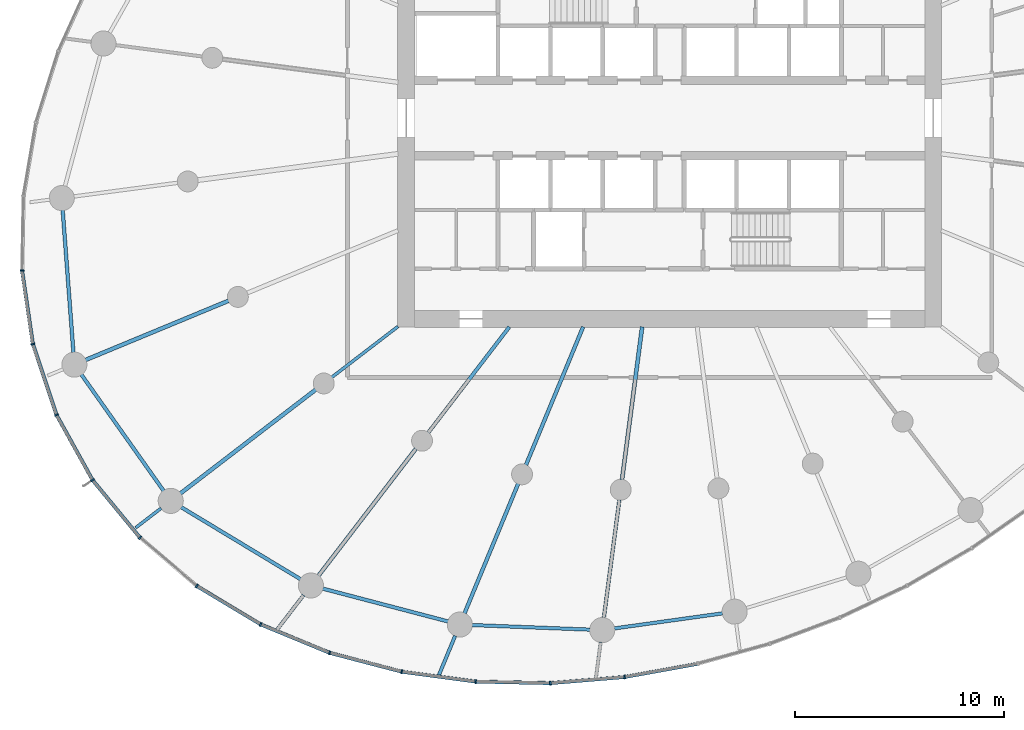
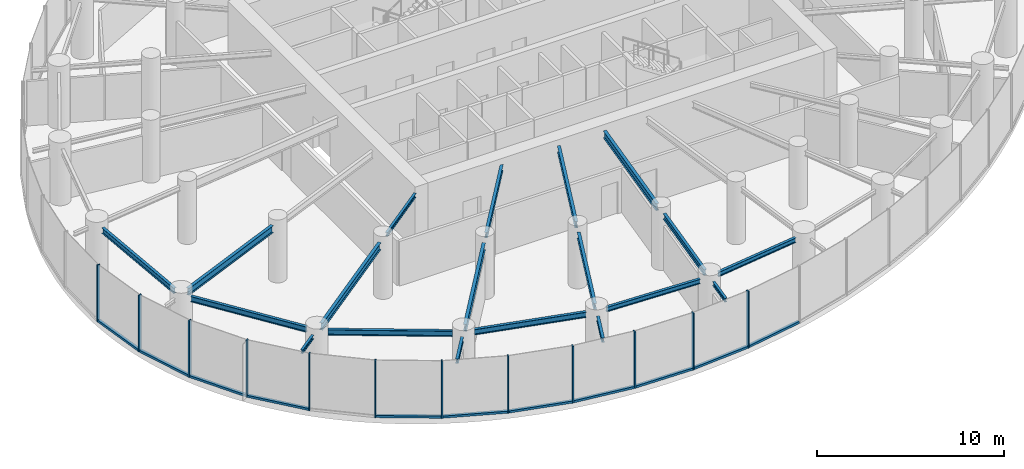
# One storey, part 2 of 18: 23 members, 19 beams, 3 elements without a shape of their own.
"""IFC4 building model written with IfcOpenShell, lengths in metres."""

from ifc_helpers import new_model, si_unit, direction, frame, origin, origin_2d, place, context, subcontext, project, spatial, rectangle, i_section, extrude, source, transform, mapped, material, layer, layer_set, material_profile, profile_set, type_object, element, aggregate, save


model = new_model("IFC4")

# Units and contexts
model_context = context("Model", 3, precision=1e-05, world=origin(), true_north=direction((0.0, 1.0)))
body_context = subcontext(model_context, "Body", "Model", "MODEL_VIEW")
ifc_project = project(units=[si_unit("LENGTHUNIT", "METRE"), si_unit("AREAUNIT", "SQUARE_METRE"), si_unit("VOLUMEUNIT", "CUBIC_METRE"), si_unit("PLANEANGLEUNIT", "RADIAN"), si_unit("MASSUNIT", "GRAM", prefix="KILO")], contexts=[model_context])

# Site, building, storey
site_placement = place(None, origin())
site = spatial("IfcSite", under=ifc_project, at=site_placement, CompositionType="ELEMENT")
building_placement = place(site_placement, origin())
building = spatial("IfcBuilding", under=site, at=building_placement, Name="Spindrift Exchange Tower", CompositionType="ELEMENT")
storey_placement = place(building_placement, frame((0.0, 0.0, 116.699951171875)))
storey = spatial("IfcBuildingStorey", under=building, at=storey_placement, Name="L27", CompositionType="ELEMENT", Elevation=116.699951171875)

# Beams
ifc_material_1 = material(Name="Steel Grade 300", Category="steel")
ifc_material_profile_1 = material_profile(ifc_material_1, i_section(OverallWidth=0.14599609375, OverallDepth=0.251953125, WebThickness=0.006103515625, FlangeThickness=0.008544921875, FilletRadius=0.011962890625, at=origin_2d()), Name="250UB31.4")
ifc_profile_set_1 = profile_set([ifc_material_profile_1], Name="Steel Grade 300")
beam_type_1 = type_object("IfcBeamType", Name="Floor Beam 250UB31.4 Steel Grade 300", PredefinedType="BEAM", material=ifc_profile_set_1)
shared_shape_1 = source(origin(), body_context, "Body", "SweptSolid", [
    extrude(i_section(OverallWidth=0.14599609375, OverallDepth=0.251953125, WebThickness=0.006103515625, FlangeThickness=0.008544921875, FilletRadius=0.011962890625, at=origin_2d()), origin(), (0.0, 0.0, 1.0), 3.99560546875),
])
beam_1_placement = place(storey_placement, frame((39.015869140625, 38.036865234375, 3.573974609375), z_axis=(-0.793352561574, -0.608762443851, 0.0), x_axis=(0.608762443851, -0.793352561574, 0.0)))
element("IfcBeam", 1, at=beam_1_placement, inside=storey, type_object=beam_type_1, Name="L27 radial beam R15A", PredefinedType="BEAM", context=body_context, shape_type="MappedRepresentation", body=[
    mapped(shared_shape_1, transform((0.0, 0.0, 0.0), scale=1.0)),
])
ifc_material_profile_2 = material_profile(ifc_material_1, i_section(OverallWidth=0.172119140625, OverallDepth=0.35888671875, WebThickness=0.008056640625, FlangeThickness=0.012939453125, FilletRadius=0.013916015625, at=origin_2d()), Name="360UB56.7")
ifc_profile_set_2 = profile_set([ifc_material_profile_2], Name="Steel Grade 300")
beam_type_2 = type_object("IfcBeamType", Name="Floor Beam 360UB56.7 Steel Grade 300", PredefinedType="BEAM", material=ifc_profile_set_2)
shared_shape_2 = source(origin(), body_context, "Body", "SweptSolid", [
    extrude(i_section(OverallWidth=0.172119140625, OverallDepth=0.35888671875, WebThickness=0.008056640625, FlangeThickness=0.012939453125, FilletRadius=0.013916015625, at=origin_2d()), origin(), (0.0, 0.0, 1.0), 6.37646484375),
])
beam_2_placement = place(storey_placement, frame((44.3388671875, 38.015869140625, 3.5205078125), z_axis=(-0.608766669952, -0.793349318747, 0.0), x_axis=(0.793349318747, -0.608766669952, 0.0)))
element("IfcBeam", 2, at=beam_2_placement, inside=storey, type_object=beam_type_2, Name="L27 radial beam R16A", PredefinedType="BEAM", context=body_context, shape_type="MappedRepresentation", body=[
    mapped(shared_shape_2, transform((0.0, 0.0, 0.0), scale=1.0)),
])
ifc_material_profile_3 = material_profile(ifc_material_1, i_section(OverallWidth=0.177978515625, OverallDepth=0.406005859375, WebThickness=0.0078125, FlangeThickness=0.0126953125, FilletRadius=0.013916015625, at=origin_2d()), Name="410UB59.7")
ifc_profile_set_3 = profile_set([ifc_material_profile_3], Name="Steel Grade 300")
beam_type_3 = type_object("IfcBeamType", Name="Floor Beam 410UB59.7 Steel Grade 300", PredefinedType="BEAM", material=ifc_profile_set_3)
shared_shape_3 = source(origin(), body_context, "Body", "SweptSolid", [
    extrude(i_section(OverallWidth=0.177978515625, OverallDepth=0.406005859375, WebThickness=0.0078125, FlangeThickness=0.0126953125, FilletRadius=0.013916015625, at=origin_2d()), origin(), (0.0, 0.0, 1.0), 7.150634765625),
])
beam_3_placement = place(storey_placement, frame((47.865478515625, 38.0185546875, 3.4970703125), z_axis=(-0.382665393358, -0.923887004306, 0.0), x_axis=(0.923887004306, -0.382665393358, 0.0)))
element("IfcBeam", 3, at=beam_3_placement, inside=storey, type_object=beam_type_3, Name="L27 radial beam R17A", PredefinedType="BEAM", context=body_context, shape_type="MappedRepresentation", body=[
    mapped(shared_shape_3, transform((0.0, 0.0, 0.0), scale=1.0)),
])
ifc_material_profile_4 = material_profile(ifc_material_1, i_section(OverallWidth=0.18994140625, OverallDepth=0.45703125, WebThickness=0.009033203125, FlangeThickness=0.014404296875, FilletRadius=0.013916015625, at=origin_2d()), Name="460UB74.6")
ifc_profile_set_4 = profile_set([ifc_material_profile_4], Name="Steel Grade 300")
beam_type_4 = type_object("IfcBeamType", Name="Floor Beam 460UB74.6 Steel Grade 300", PredefinedType="BEAM", material=ifc_profile_set_4)
shared_shape_4 = source(origin(), body_context, "Body", "SweptSolid", [
    extrude(i_section(OverallWidth=0.18994140625, OverallDepth=0.45703125, WebThickness=0.009033203125, FlangeThickness=0.014404296875, FilletRadius=0.013916015625, at=origin_2d()), origin(), (0.0, 0.0, 1.0), 7.374267578125),
])
beam_4_placement = place(storey_placement, frame((50.68603515625, 38.019775390625, 3.471435546875), z_axis=(-0.130539295622, -0.99144313619, 0.0), x_axis=(0.99144313619, -0.130539295622, 0.0)))
element("IfcBeam", 4, at=beam_4_placement, inside=storey, type_object=beam_type_4, Name="L27 radial beam R18A", PredefinedType="BEAM", context=body_context, shape_type="MappedRepresentation", body=[
    mapped(shared_shape_4, transform((0.0, 0.0, 0.0), scale=1.0)),
])
shared_shape_5 = source(origin(), body_context, "Body", "SweptSolid", [
    extrude(i_section(OverallWidth=0.18994140625, OverallDepth=0.45703125, WebThickness=0.009033203125, FlangeThickness=0.014404296875, FilletRadius=0.013916015625, at=origin_2d()), origin(), (0.0, 0.0, 1.0), 7.400146484375),
])
beam_5_placement = place(storey_placement, frame((30.917236328125, 39.26708984375, 3.471435546875), z_axis=(-0.923886957755, -0.382665505749, 0.0), x_axis=(0.382665505749, -0.923886957755, 0.0)))
element("IfcBeam", 5, at=beam_5_placement, inside=storey, type_object=beam_type_4, Name="L27 radial beam R14B", PredefinedType="BEAM", context=body_context, shape_type="MappedRepresentation", body=[
    mapped(shared_shape_5, transform((0.0, 0.0, 0.0), scale=1.0)),
])
shared_shape_6 = source(origin(), body_context, "Body", "SweptSolid", [
    extrude(i_section(OverallWidth=0.18994140625, OverallDepth=0.45703125, WebThickness=0.009033203125, FlangeThickness=0.014404296875, FilletRadius=0.013916015625, at=origin_2d()), origin(), (0.0, 0.0, 1.0), 8.158447265625),
])
beam_6_placement = place(storey_placement, frame((35.08447265625, 35.020263671875, 3.471435546875), z_axis=(-0.793358732539, -0.608754401631, 0.0), x_axis=(0.608754401631, -0.793358732539, 0.0)))
element("IfcBeam", 6, at=beam_6_placement, inside=storey, type_object=beam_type_4, Name="L27 radial beam R15B", PredefinedType="BEAM", context=body_context, shape_type="MappedRepresentation", body=[
    mapped(shared_shape_6, transform((0.0, 0.0, 0.0), scale=1.0)),
])
shared_shape_7 = source(origin(), body_context, "Body", "SweptSolid", [
    extrude(i_section(OverallWidth=0.18994140625, OverallDepth=0.45703125, WebThickness=0.009033203125, FlangeThickness=0.014404296875, FilletRadius=0.013916015625, at=origin_2d()), origin(), (0.0, 0.0, 1.0), 7.663818359375),
])
beam_7_placement = place(storey_placement, frame((39.872802734375, 32.1953125, 3.471435546875), z_axis=(-0.608771227503, -0.793345821546, 0.0), x_axis=(0.793345821546, -0.608771227503, 0.0)))
element("IfcBeam", 7, at=beam_7_placement, inside=storey, type_object=beam_type_4, Name="L27 radial beam R16B", PredefinedType="BEAM", context=body_context, shape_type="MappedRepresentation", body=[
    mapped(shared_shape_7, transform((0.0, 0.0, 0.0), scale=1.0)),
])
shared_shape_8 = source(origin(), body_context, "Body", "SweptSolid", [
    extrude(i_section(OverallWidth=0.177978515625, OverallDepth=0.406005859375, WebThickness=0.0078125, FlangeThickness=0.0126953125, FilletRadius=0.013916015625, at=origin_2d()), origin(), (0.0, 0.0, 1.0), 6.71240234375),
])
beam_8_placement = place(storey_placement, frame((44.76171875, 30.525146484375, 3.4970703125), z_axis=(-0.382669812754, -0.923885173821, 0.0), x_axis=(0.923885173821, -0.382669812754, 0.0)))
element("IfcBeam", 8, at=beam_8_placement, inside=storey, type_object=beam_type_3, Name="L27 radial beam R17B", PredefinedType="BEAM", context=body_context, shape_type="MappedRepresentation", body=[
    mapped(shared_shape_8, transform((0.0, 0.0, 0.0), scale=1.0)),
])
shared_shape_9 = source(origin(), body_context, "Body", "SweptSolid", [
    extrude(i_section(OverallWidth=0.172119140625, OverallDepth=0.35888671875, WebThickness=0.008056640625, FlangeThickness=0.012939453125, FilletRadius=0.013916015625, at=origin_2d()), origin(), (0.0, 0.0, 1.0), 5.70751953125),
])
beam_9_placement = place(storey_placement, frame((49.59814453125, 29.7568359375, 3.5205078125), z_axis=(-0.130507624881, -0.991447305634, 0.0), x_axis=(0.991447305634, -0.130507624881, 0.0)))
element("IfcBeam", 9, at=beam_9_placement, inside=storey, type_object=beam_type_2, Name="L27 radial beam R18B", PredefinedType="BEAM", context=body_context, shape_type="MappedRepresentation", body=[
    mapped(shared_shape_9, transform((0.0, 0.0, 0.0), scale=1.0)),
])
ifc_material_profile_5 = material_profile(ifc_material_1, i_section(OverallWidth=0.172119140625, OverallDepth=0.35888671875, WebThickness=0.008056640625, FlangeThickness=0.012939453125, FilletRadius=0.013916015625, at=origin_2d()), Name="360UB56.7")
ifc_profile_set_5 = profile_set([ifc_material_profile_5], Name="Steel Grade 300")
beam_type_5 = type_object("IfcBeamType", Name="Edge Beam 360UB56.7 Steel Grade 300", PredefinedType="SPANDREL", material=ifc_profile_set_5)
shared_shape_10 = source(origin(), body_context, "Body", "SweptSolid", [
    extrude(i_section(OverallWidth=0.172119140625, OverallDepth=0.35888671875, WebThickness=0.008056640625, FlangeThickness=0.012939453125, FilletRadius=0.013916015625, at=origin_2d()), origin(), (0.0, 0.0, 1.0), 6.82373046875),
])
beam_10_placement = place(storey_placement, frame((22.9873046875, 43.59619140625, 3.5205078125), z_axis=(0.075276463877, -0.997162701863, 0.0), x_axis=(0.997162701863, 0.075276463877, 0.0)))
element("IfcBeam", 10, at=beam_10_placement, inside=storey, type_object=beam_type_5, Name="L27 edge beam E13", PredefinedType="SPANDREL", context=body_context, shape_type="MappedRepresentation", body=[
    mapped(shared_shape_10, transform((0.0, 0.0, 0.0), scale=1.0)),
])
shared_shape_11 = source(origin(), body_context, "Body", "SweptSolid", [
    extrude(i_section(OverallWidth=0.172119140625, OverallDepth=0.35888671875, WebThickness=0.008056640625, FlangeThickness=0.012939453125, FilletRadius=0.013916015625, at=origin_2d()), origin(), (0.0, 0.0, 1.0), 6.81787109375),
])
beam_11_placement = place(storey_placement, frame((23.87939453125, 35.739990234375, 3.5205078125), z_axis=(0.577526426198, -0.816371990604, 0.0), x_axis=(0.816371990604, 0.577526426198, 0.0)))
element("IfcBeam", 11, at=beam_11_placement, inside=storey, type_object=beam_type_5, Name="L27 edge beam E14", PredefinedType="SPANDREL", context=body_context, shape_type="MappedRepresentation", body=[
    mapped(shared_shape_11, transform((0.0, 0.0, 0.0), scale=1.0)),
])
shared_shape_12 = source(origin(), body_context, "Body", "SweptSolid", [
    extrude(i_section(OverallWidth=0.172119140625, OverallDepth=0.35888671875, WebThickness=0.008056640625, FlangeThickness=0.012939453125, FilletRadius=0.013916015625, at=origin_2d()), origin(), (0.0, 0.0, 1.0), 6.668701171875),
])
beam_12_placement = place(storey_placement, frame((28.6484375, 29.40087890625, 3.5205078125), z_axis=(0.856133207479, -0.516755194508, 0.0), x_axis=(0.516755194508, 0.856133207479, 0.0)))
element("IfcBeam", 12, at=beam_12_placement, inside=storey, type_object=beam_type_5, Name="L27 edge beam E15", PredefinedType="SPANDREL", context=body_context, shape_type="MappedRepresentation", body=[
    mapped(shared_shape_12, transform((0.0, 0.0, 0.0), scale=1.0)),
])
shared_shape_13 = source(origin(), body_context, "Body", "SweptSolid", [
    extrude(i_section(OverallWidth=0.172119140625, OverallDepth=0.35888671875, WebThickness=0.008056640625, FlangeThickness=0.012939453125, FilletRadius=0.013916015625, at=origin_2d()), origin(), (0.0, 0.0, 1.0), 6.197509765625),
])
beam_13_placement = place(storey_placement, frame((35.415283203125, 25.508056640625, 3.5205078125), z_axis=(0.967254420813, -0.253808757567, 0.0), x_axis=(0.253808757567, 0.967254420813, 0.0)))
element("IfcBeam", 13, at=beam_13_placement, inside=storey, type_object=beam_type_5, Name="L27 edge beam E16", PredefinedType="SPANDREL", context=body_context, shape_type="MappedRepresentation", body=[
    mapped(shared_shape_13, transform((0.0, 0.0, 0.0), scale=1.0)),
])
ifc_material_profile_6 = material_profile(ifc_material_1, i_section(OverallWidth=0.1650390625, OverallDepth=0.303955078125, WebThickness=0.006103515625, FlangeThickness=0.01025390625, FilletRadius=0.011474609375, at=origin_2d()), Name="310UB40.4")
ifc_profile_set_6 = profile_set([ifc_material_profile_6], Name="Steel Grade 300")
beam_type_6 = type_object("IfcBeamType", Name="Edge Beam 310UB40.4 Steel Grade 300", PredefinedType="SPANDREL", material=ifc_profile_set_6)
shared_shape_14 = source(origin(), body_context, "Body", "SweptSolid", [
    extrude(i_section(OverallWidth=0.1650390625, OverallDepth=0.303955078125, WebThickness=0.006103515625, FlangeThickness=0.01025390625, FilletRadius=0.011474609375, at=origin_2d()), origin(), (0.0, 0.0, 1.0), 5.65185546875),
])
beam_14_placement = place(storey_placement, frame((42.550537109375, 23.765380859375, 3.548095703125), z_axis=(0.99924397539, -0.038877726865, 0.0), x_axis=(0.038877726865, 0.99924397539, 0.0)))
element("IfcBeam", 14, at=beam_14_placement, inside=storey, type_object=beam_type_6, Name="L27 edge beam E17", PredefinedType="SPANDREL", context=body_context, shape_type="MappedRepresentation", body=[
    mapped(shared_shape_14, transform((0.0, 0.0, 0.0), scale=1.0)),
])
shared_shape_15 = source(origin(), body_context, "Body", "SweptSolid", [
    extrude(i_section(OverallWidth=0.1650390625, OverallDepth=0.303955078125, WebThickness=0.006103515625, FlangeThickness=0.01025390625, FilletRadius=0.011474609375, at=origin_2d()), origin(), (0.0, 0.0, 1.0), 5.22998046875),
])
beam_15_placement = place(storey_placement, frame((49.35205078125, 23.603271484375, 3.548095703125), z_axis=(0.990440078597, 0.137943650481, 0.0), x_axis=(-0.137943650481, 0.990440078597, 0.0)))
element("IfcBeam", 15, at=beam_15_placement, inside=storey, type_object=beam_type_6, Name="L27 edge beam E18", PredefinedType="SPANDREL", context=body_context, shape_type="MappedRepresentation", body=[
    mapped(shared_shape_15, transform((0.0, 0.0, 0.0), scale=1.0)),
])
ifc_material_profile_7 = material_profile(ifc_material_1, i_section(OverallWidth=0.14599609375, OverallDepth=0.251953125, WebThickness=0.006103515625, FlangeThickness=0.008544921875, FilletRadius=0.011962890625, at=origin_2d()), Name="250UB31.4")
ifc_profile_set_7 = profile_set([ifc_material_profile_7], Name="Steel Grade 300")
beam_type_7 = type_object("IfcBeamType", Name="Cantilever Beam 250UB31.4 Steel Grade 300", PredefinedType="BEAM", material=ifc_profile_set_7)
shared_shape_16 = source(origin(), body_context, "Body", "SweptSolid", [
    extrude(i_section(OverallWidth=0.14599609375, OverallDepth=0.251953125, WebThickness=0.006103515625, FlangeThickness=0.008544921875, FilletRadius=0.011962890625, at=origin_2d()), origin(), (0.0, 0.0, 1.0), 1.535400390625),
])
beam_16_placement = place(storey_placement, frame((27.691650390625, 29.347412109375, 3.573974609375), z_axis=(-0.793427183754, -0.608665182247, 0.0), x_axis=(0.608665182247, -0.793427183754, 0.0)))
element("IfcBeam", 16, at=beam_16_placement, inside=storey, type_object=beam_type_7, Name="L27 cantilever beam R15T", PredefinedType="BEAM", context=body_context, shape_type="MappedRepresentation", body=[
    mapped(shared_shape_16, transform((0.0, 0.0, 0.0), scale=1.0)),
])
ifc_material_profile_8 = material_profile(ifc_material_1, i_section(OverallWidth=0.1650390625, OverallDepth=0.303955078125, WebThickness=0.006103515625, FlangeThickness=0.01025390625, FilletRadius=0.011474609375, at=origin_2d()), Name="310UB40.4")
ifc_profile_set_8 = profile_set([ifc_material_profile_8], Name="Steel Grade 300")
beam_type_8 = type_object("IfcBeamType", Name="Cantilever Beam 310UB40.4 Steel Grade 300", PredefinedType="BEAM", material=ifc_profile_set_8)
shared_shape_17 = source(origin(), body_context, "Body", "SweptSolid", [
    extrude(i_section(OverallWidth=0.1650390625, OverallDepth=0.303955078125, WebThickness=0.006103515625, FlangeThickness=0.01025390625, FilletRadius=0.011474609375, at=origin_2d()), origin(), (0.0, 0.0, 1.0), 2.08935546875),
])
beam_17_placement = place(storey_placement, frame((34.501220703125, 25.195068359375, 3.548095703125), z_axis=(-0.608806813352, -0.793318513598, 0.0), x_axis=(0.793318513598, -0.608806813352, 0.0)))
element("IfcBeam", 17, at=beam_17_placement, inside=storey, type_object=beam_type_8, Name="L27 cantilever beam R16T", PredefinedType="BEAM", context=body_context, shape_type="MappedRepresentation", body=[
    mapped(shared_shape_17, transform((0.0, 0.0, 0.0), scale=1.0)),
])
shared_shape_18 = source(origin(), body_context, "Body", "SweptSolid", [
    extrude(i_section(OverallWidth=0.1650390625, OverallDepth=0.303955078125, WebThickness=0.006103515625, FlangeThickness=0.01025390625, FilletRadius=0.011474609375, at=origin_2d()), origin(), (0.0, 0.0, 1.0), 2.0712890625),
])
beam_18_placement = place(storey_placement, frame((41.7490234375, 23.251953125, 3.548095703125), z_axis=(-0.382723081486, -0.923863108311, 0.0), x_axis=(0.923863108311, -0.382723081486, 0.0)))
element("IfcBeam", 18, at=beam_18_placement, inside=storey, type_object=beam_type_8, Name="L27 cantilever beam R17T", PredefinedType="BEAM", context=body_context, shape_type="MappedRepresentation", body=[
    mapped(shared_shape_18, transform((0.0, 0.0, 0.0), scale=1.0)),
])
shared_shape_19 = source(origin(), body_context, "Body", "SweptSolid", [
    extrude(i_section(OverallWidth=0.14599609375, OverallDepth=0.251953125, WebThickness=0.006103515625, FlangeThickness=0.008544921875, FilletRadius=0.011962890625, at=origin_2d()), origin(), (0.0, 0.0, 1.0), 1.71923828125),
])
beam_19_placement = place(storey_placement, frame((48.701904296875, 22.9482421875, 3.573974609375), z_axis=(-0.130638170116, -0.991430112771, 0.0), x_axis=(0.991430112771, -0.130638170116, 0.0)))
element("IfcBeam", 19, at=beam_19_placement, inside=storey, type_object=beam_type_7, Name="L27 cantilever beam R18T", PredefinedType="BEAM", context=body_context, shape_type="MappedRepresentation", body=[
    mapped(shared_shape_19, transform((0.0, 0.0, 0.0), scale=1.0)),
])

# Curtain wall, member
ifc_material_2 = material(Name="Fritted laminated glass with bronze frame", Category="glass")
ifc_layer = layer(ifc_material_2, 0.18994140625)
ifc_layer_set = layer_set([ifc_layer], Name="ZONE 2 BRONZE FRITTED WALL")
curtain_wall_type = type_object("IfcCurtainWallType", Name="ZONE 2 BRONZE FRITTED WALL", PredefinedType="NOTDEFINED", material=ifc_layer_set)
curtain_wall_1_placement = place(storey_placement, origin())
curtain_wall_1 = element("IfcCurtainWall", 20, at=curtain_wall_1_placement, inside=storey, type_object=curtain_wall_type, Name="L27 Zone 2 Bronze Fritted Wall run 4", PredefinedType="NOTDEFINED")
ifc_material_3 = material(Name="Bronze anodised aluminium", Category="aluminium")
ifc_material_profile_9 = material_profile(ifc_material_3, rectangle(XDim=0.074951171875, YDim=0.18994140625, at=origin_2d()), Name="ZONE 2 BRONZE FRITTED WALL MULLION 75X190")
ifc_profile_set_9 = profile_set([ifc_material_profile_9], Name="Bronze anodised aluminium")
member_type_1 = type_object("IfcMemberType", Name="ZONE 2 BRONZE FRITTED WALL MULLION 75X190", PredefinedType="MULLION", material=ifc_profile_set_9)
shared_shape_20 = source(origin(), body_context, "Body", "SweptSolid", [
    extrude(rectangle(XDim=0.074951171875, YDim=0.18994140625, at=origin_2d()), origin(), (0.0, 0.0, 1.0), 3.699951171875),
])
member_1_placement = place(storey_placement, frame((21.044189453125, 40.715087890625, 0.0), z_axis=(0.0, 0.0, 1.0), x_axis=(0.063682442019, -0.997970213272, 0.0)))
member_1 = element("IfcMember", 21, at=member_1_placement, type_object=member_type_1, Name="L27 mullion CW-2.24", PredefinedType="MULLION", context=body_context, shape_type="MappedRepresentation", body=[
    mapped(shared_shape_20, transform((0.0, 0.0, 0.0), scale=1.0)),
])

# Curtain wall, members
curtain_wall_2_placement = place(storey_placement, origin())
curtain_wall_2 = element("IfcCurtainWall", 22, at=curtain_wall_2_placement, inside=storey, type_object=curtain_wall_type, Name="L27 Zone 2 Bronze Fritted Wall run 5", PredefinedType="NOTDEFINED")
member_2_placement = place(storey_placement, frame((21.56201171875, 37.189697265625, 0.0), z_axis=(0.0, 0.0, 1.0), x_axis=(0.231908713858, -0.97273755373, 0.0)))
member_2 = element("IfcMember", 23, at=member_2_placement, type_object=member_type_1, Name="L27 mullion CW-2.25", PredefinedType="MULLION", context=body_context, shape_type="MappedRepresentation", body=[
    mapped(shared_shape_20, transform((0.0, 0.0, 0.0), scale=1.0)),
])
member_3_placement = place(storey_placement, frame((22.6904296875, 33.81005859375, 0.0), z_axis=(0.0, 0.0, 1.0), x_axis=(0.402192207356, -0.915555256848, 0.0)))
member_3 = element("IfcMember", 24, at=member_3_placement, type_object=member_type_1, Name="L27 mullion CW-2.26", PredefinedType="MULLION", context=body_context, shape_type="MappedRepresentation", body=[
    mapped(shared_shape_20, transform((0.0, 0.0, 0.0), scale=1.0)),
])
member_4_placement = place(storey_placement, frame((24.416015625, 30.693115234375, 0.0), z_axis=(0.0, 0.0, 1.0), x_axis=(0.56240827869, -0.82685967858, 0.0)))
member_4 = element("IfcMember", 25, at=member_4_placement, type_object=member_type_1, Name="L27 mullion CW-2.27", PredefinedType="MULLION", context=body_context, shape_type="MappedRepresentation", body=[
    mapped(shared_shape_20, transform((0.0, 0.0, 0.0), scale=1.0)),
])
member_5_placement = place(storey_placement, frame((26.680908203125, 27.943115234375, 0.0), z_axis=(0.0, 0.0, 1.0), x_axis=(0.701266819317, -0.712898904561, 0.0)))
member_5 = element("IfcMember", 26, at=member_5_placement, type_object=member_type_1, Name="L27 mullion CW-2.28", PredefinedType="MULLION", context=body_context, shape_type="MappedRepresentation", body=[
    mapped(shared_shape_20, transform((0.0, 0.0, 0.0), scale=1.0)),
])
member_6_placement = place(storey_placement, frame((29.393798828125, 25.6328125, 0.0), z_axis=(0.0, 0.0, 1.0), x_axis=(0.81195295734, -0.583722875231, 0.0)))
member_6 = element("IfcMember", 27, at=member_6_placement, type_object=member_type_1, Name="L27 mullion CW-2.29", PredefinedType="MULLION", context=body_context, shape_type="MappedRepresentation", body=[
    mapped(shared_shape_20, transform((0.0, 0.0, 0.0), scale=1.0)),
])
member_7_placement = place(storey_placement, frame((32.44873046875, 23.796630859375, 0.0), z_axis=(0.0, 0.0, 1.0), x_axis=(0.893278758803, -0.449503124652, 0.0)))
member_7 = element("IfcMember", 28, at=member_7_placement, type_object=member_type_1, Name="L27 mullion CW-2.30", PredefinedType="MULLION", context=body_context, shape_type="MappedRepresentation", body=[
    mapped(shared_shape_20, transform((0.0, 0.0, 0.0), scale=1.0)),
])

curtain_wall_3_placement = place(storey_placement, origin())
curtain_wall_3 = element("IfcCurtainWall", 29, at=curtain_wall_3_placement, inside=storey, type_object=curtain_wall_type, Name="L27 Zone 2 Bronze Fritted Wall run 6", PredefinedType="NOTDEFINED")
member_8_placement = place(storey_placement, frame((35.744140625, 22.437255859375, 0.0), z_axis=(0.0, 0.0, 1.0), x_axis=(0.948152027786, -0.317817136424, 0.0)))
member_8 = element("IfcMember", 30, at=member_8_placement, type_object=member_type_1, Name="L27 mullion CW-2.31", PredefinedType="MULLION", context=body_context, shape_type="MappedRepresentation", body=[
    mapped(shared_shape_20, transform((0.0, 0.0, 0.0), scale=1.0)),
])
member_9_placement = place(storey_placement, frame((39.193603515625, 21.535888671875, 0.0), z_axis=(0.0, 0.0, 1.0), x_axis=(0.981202808781, -0.192979397968, 0.0)))
member_9 = element("IfcMember", 31, at=member_9_placement, type_object=member_type_1, Name="L27 mullion CW-2.32", PredefinedType="MULLION", context=body_context, shape_type="MappedRepresentation", body=[
    mapped(shared_shape_20, transform((0.0, 0.0, 0.0), scale=1.0)),
])
member_10_placement = place(storey_placement, frame((42.727783203125, 21.063720703125, 0.0), z_axis=(0.0, 0.0, 1.0), x_axis=(0.997049128188, -0.076766112184, 0.0)))
member_10 = element("IfcMember", 32, at=member_10_placement, type_object=member_type_1, Name="L27 mullion CW-2.33", PredefinedType="MULLION", context=body_context, shape_type="MappedRepresentation", body=[
    mapped(shared_shape_20, transform((0.0, 0.0, 0.0), scale=1.0)),
])
member_11_placement = place(storey_placement, frame((46.293212890625, 20.9892578125, 0.0), z_axis=(0.0, 0.0, 1.0), x_axis=(0.999529851526, 0.030660657325, 0.0)))
member_11 = element("IfcMember", 33, at=member_11_placement, type_object=member_type_1, Name="L27 mullion CW-2.34", PredefinedType="MULLION", context=body_context, shape_type="MappedRepresentation", body=[
    mapped(shared_shape_20, transform((0.0, 0.0, 0.0), scale=1.0)),
])
member_12_placement = place(storey_placement, frame((49.847412109375, 21.2822265625, 0.0), z_axis=(0.0, 0.0, 1.0), x_axis=(0.991515619174, 0.129987602999, 0.0)))
member_12 = element("IfcMember", 34, at=member_12_placement, type_object=member_type_1, Name="L27 mullion CW-2.35", PredefinedType="MULLION", context=body_context, shape_type="MappedRepresentation", body=[
    mapped(shared_shape_20, transform((0.0, 0.0, 0.0), scale=1.0)),
])

# Member
ifc_material_profile_10 = material_profile(ifc_material_3, rectangle(XDim=0.169921875, YDim=0.139892578125, at=origin_2d()), Name="ZONE 2 BRONZE FRITTED WALL TRANSOM 170X140")
ifc_profile_set_10 = profile_set([ifc_material_profile_10], Name="Bronze anodised aluminium")
member_type_2 = type_object("IfcMemberType", Name="ZONE 2 BRONZE FRITTED WALL TRANSOM 170X140", PredefinedType="USERDEFINED", material=ifc_profile_set_10)
shared_shape_21 = source(origin(), body_context, "Body", "SweptSolid", [
    extrude(rectangle(XDim=0.169921875, YDim=0.139892578125, at=origin_2d()), origin(), (0.0, 0.0, 1.0), 3.489013671875),
])
member_13_placement = place(storey_placement, frame((29.426025390625, 25.61328125, 0.070068359375), z_axis=(0.857103711084, -0.515143891011, 0.0), x_axis=(0.515143891011, 0.857103711084, 0.0)))
member_13 = element("IfcMember", 35, at=member_13_placement, type_object=member_type_2, Name="L27 transom CW-2.29", ObjectType="TRANSOM", PredefinedType="USERDEFINED", context=body_context, shape_type="MappedRepresentation", body=[
    mapped(shared_shape_21, transform((0.0, 0.0, 0.0), scale=1.0)),
])

shared_shape_22 = source(origin(), body_context, "Body", "SweptSolid", [
    extrude(rectangle(XDim=0.169921875, YDim=0.139892578125, at=origin_2d()), origin(), (0.0, 0.0, 1.0), 3.48828125),
])
member_14_placement = place(storey_placement, frame((21.049560546875, 40.677978515625, 0.070068359375), z_axis=(0.145369062366, -0.989377499091, 0.0), x_axis=(0.989377499091, 0.145369062366, 0.0)))
member_14 = element("IfcMember", 36, at=member_14_placement, type_object=member_type_2, Name="L27 transom CW-2.24", ObjectType="TRANSOM", PredefinedType="USERDEFINED", context=body_context, shape_type="MappedRepresentation", body=[
    mapped(shared_shape_22, transform((0.0, 0.0, 0.0), scale=1.0)),
])

aggregate(curtain_wall_1, [member_1, member_14])

shared_shape_23 = source(origin(), body_context, "Body", "SweptSolid", [
    extrude(rectangle(XDim=0.169921875, YDim=0.139892578125, at=origin_2d()), origin(), (0.0, 0.0, 1.0), 3.487548828125),
])
member_15_placement = place(storey_placement, frame((22.70849609375, 33.77734375, 0.070068359375), z_axis=(0.484340760113, -0.874879436319, 0.0), x_axis=(0.874879436319, 0.484340760113, 0.0)))
member_15 = element("IfcMember", 37, at=member_15_placement, type_object=member_type_2, Name="L27 transom CW-2.26", ObjectType="TRANSOM", PredefinedType="USERDEFINED", context=body_context, shape_type="MappedRepresentation", body=[
    mapped(shared_shape_23, transform((0.0, 0.0, 0.0), scale=1.0)),
])

shared_shape_24 = source(origin(), body_context, "Body", "SweptSolid", [
    extrude(rectangle(XDim=0.169921875, YDim=0.139892578125, at=origin_2d()), origin(), (0.0, 0.0, 1.0), 3.48779296875),
])
member_16_placement = place(storey_placement, frame((21.573974609375, 37.154052734375, 0.070068359375), z_axis=(0.316668716139, -0.948536200795, 0.0), x_axis=(0.948536200795, 0.316668716139, 0.0)))
member_16 = element("IfcMember", 38, at=member_16_placement, type_object=member_type_2, Name="L27 transom CW-2.25", ObjectType="TRANSOM", PredefinedType="USERDEFINED", context=body_context, shape_type="MappedRepresentation", body=[
    mapped(shared_shape_24, transform((0.0, 0.0, 0.0), scale=1.0)),
])

shared_shape_25 = source(origin(), body_context, "Body", "SweptSolid", [
    extrude(rectangle(XDim=0.169921875, YDim=0.139892578125, at=origin_2d()), origin(), (0.0, 0.0, 1.0), 3.49072265625),
])
member_17_placement = place(storey_placement, frame((39.230712890625, 21.531005859375, 0.070068359375), z_axis=(0.991196720611, -0.132397360437, 0.0), x_axis=(0.132397360437, 0.991196720611, 0.0)))
member_17 = element("IfcMember", 39, at=member_17_placement, type_object=member_type_2, Name="L27 transom CW-2.32", ObjectType="TRANSOM", PredefinedType="USERDEFINED", context=body_context, shape_type="MappedRepresentation", body=[
    mapped(shared_shape_25, transform((0.0, 0.0, 0.0), scale=1.0)),
])

shared_shape_26 = source(origin(), body_context, "Body", "SweptSolid", [
    extrude(rectangle(XDim=0.169921875, YDim=0.139892578125, at=origin_2d()), origin(), (0.0, 0.0, 1.0), 3.491455078125),
])
member_18_placement = place(storey_placement, frame((49.88427734375, 21.288818359375, 0.070068359375), z_axis=(0.984114001826, 0.177537690112, 0.0), x_axis=(-0.177537690112, 0.984114001826, 0.0)))
member_18 = element("IfcMember", 40, at=member_18_placement, type_object=member_type_2, Name="L27 transom CW-2.35", ObjectType="TRANSOM", PredefinedType="USERDEFINED", context=body_context, shape_type="MappedRepresentation", body=[
    mapped(shared_shape_26, transform((0.0, 0.0, 0.0), scale=1.0)),
])

shared_shape_27 = source(origin(), body_context, "Body", "SweptSolid", [
    extrude(rectangle(XDim=0.169921875, YDim=0.139892578125, at=origin_2d()), origin(), (0.0, 0.0, 1.0), 3.490966796875),
])
member_19_placement = place(storey_placement, frame((42.765380859375, 21.06298828125, 0.070068359375), z_axis=(0.999781354346, -0.020910368281, 0.0), x_axis=(0.020910368281, 0.999781354346, 0.0)))
member_19 = element("IfcMember", 41, at=member_19_placement, type_object=member_type_2, Name="L27 transom CW-2.33", ObjectType="TRANSOM", PredefinedType="USERDEFINED", context=body_context, shape_type="MappedRepresentation", body=[
    mapped(shared_shape_27, transform((0.0, 0.0, 0.0), scale=1.0)),
])

member_20_placement = place(storey_placement, frame((46.33056640625, 20.992431640625, 0.070068359375), z_axis=(0.996623926747, 0.082102062311, 0.0), x_axis=(-0.082102062311, 0.996623926747, 0.0)))
member_20 = element("IfcMember", 42, at=member_20_placement, type_object=member_type_2, Name="L27 transom CW-2.34", ObjectType="TRANSOM", PredefinedType="USERDEFINED", context=body_context, shape_type="MappedRepresentation", body=[
    mapped(shared_shape_27, transform((0.0, 0.0, 0.0), scale=1.0)),
])

shared_shape_28 = source(origin(), body_context, "Body", "SweptSolid", [
    extrude(rectangle(XDim=0.169921875, YDim=0.139892578125, at=origin_2d()), origin(), (0.0, 0.0, 1.0), 3.490234375),
])
member_21_placement = place(storey_placement, frame((35.7802734375, 22.427734375, 0.070068359375), z_axis=(0.967520636222, -0.25279204593, 0.0), x_axis=(0.25279204593, 0.967520636222, 0.0)))
member_21 = element("IfcMember", 43, at=member_21_placement, type_object=member_type_2, Name="L27 transom CW-2.31", ObjectType="TRANSOM", PredefinedType="USERDEFINED", context=body_context, shape_type="MappedRepresentation", body=[
    mapped(shared_shape_28, transform((0.0, 0.0, 0.0), scale=1.0)),
])

aggregate(curtain_wall_3, [member_8, member_21, member_9, member_17, member_10, member_19, member_11, member_20, member_12, member_18])

shared_shape_29 = source(origin(), body_context, "Body", "SweptSolid", [
    extrude(rectangle(XDim=0.169921875, YDim=0.139892578125, at=origin_2d()), origin(), (0.0, 0.0, 1.0), 3.488037109375),
])
member_22_placement = place(storey_placement, frame((24.439697265625, 30.664306640625, 0.070068359375), z_axis=(0.635753866143, -0.771891845847, 0.0), x_axis=(0.771891845847, 0.635753866143, 0.0)))
member_22 = element("IfcMember", 44, at=member_22_placement, type_object=member_type_2, Name="L27 transom CW-2.27", ObjectType="TRANSOM", PredefinedType="USERDEFINED", context=body_context, shape_type="MappedRepresentation", body=[
    mapped(shared_shape_29, transform((0.0, 0.0, 0.0), scale=1.0)),
])

shared_shape_30 = source(origin(), body_context, "Body", "SweptSolid", [
    extrude(rectangle(XDim=0.169921875, YDim=0.139892578125, at=origin_2d()), origin(), (0.0, 0.0, 1.0), 3.48974609375),
])
member_23_placement = place(storey_placement, frame((32.4833984375, 23.782470703125, 0.070068359375), z_axis=(0.92443305214, -0.381344374695, 0.0), x_axis=(0.381344374695, 0.92443305214, 0.0)))
member_23 = element("IfcMember", 45, at=member_23_placement, type_object=member_type_2, Name="L27 transom CW-2.30", ObjectType="TRANSOM", PredefinedType="USERDEFINED", context=body_context, shape_type="MappedRepresentation", body=[
    mapped(shared_shape_30, transform((0.0, 0.0, 0.0), scale=1.0)),
])

aggregate(curtain_wall_2, [member_2, member_16, member_3, member_15, member_4, member_22, member_5, member_6, member_13, member_7, member_23])

save(model, "model.ifc")
